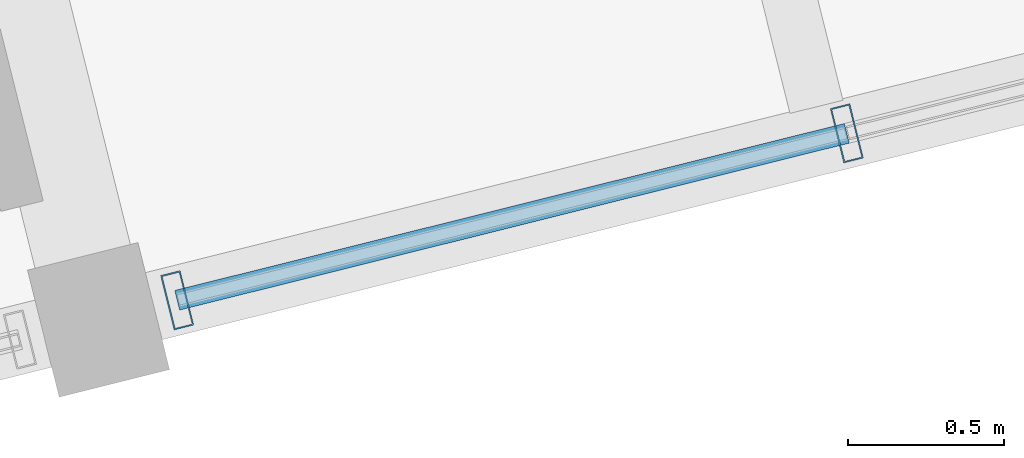
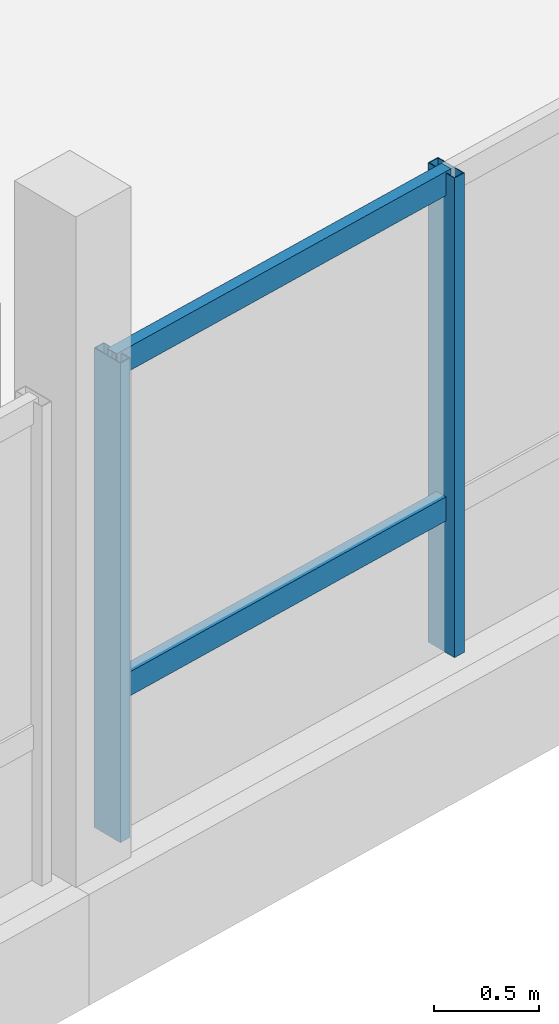
# One storey, part 5 of 27: 4 members, 1 element without a shape of its own.
"""IFC4 building model written with IfcOpenShell, lengths in metres."""

from ifc_helpers import new_model, si_unit, direction, frame, origin, origin_2d, place, context, subcontext, project, spatial, hollow_rectangle, extrude, material, layer, layer_set, material_profile, profile_set, type_object, element, aggregate, save


model = new_model("IFC4")

# Units and contexts
model_context = context("Model", 3, precision=1e-05, world=origin(), true_north=direction((0.0, 1.0)))
body_context = subcontext(model_context, "Body", "Model", "MODEL_VIEW")
ifc_project = project(units=[si_unit("LENGTHUNIT", "METRE"), si_unit("AREAUNIT", "SQUARE_METRE"), si_unit("VOLUMEUNIT", "CUBIC_METRE"), si_unit("PLANEANGLEUNIT", "RADIAN"), si_unit("MASSUNIT", "GRAM", prefix="KILO")], contexts=[model_context])

# Site, building, storey
site_placement = place(None, origin())
site = spatial("IfcSite", under=ifc_project, at=site_placement, CompositionType="ELEMENT")
building_placement = place(site_placement, origin())
building = spatial("IfcBuilding", under=site, at=building_placement, Name="Meriwether Solvik Hall", CompositionType="ELEMENT")
storey_placement = place(building_placement, frame((0.0, 0.0, 33.89990234375)))
storey = spatial("IfcBuildingStorey", under=building, at=storey_placement, Name="L08", CompositionType="ELEMENT", Elevation=33.89990234375)

# Curtain wall, members
ifc_material_1 = material(Name="Thermally Broken Anodised Aluminium 6063-T6 and Low-E Glass", Category="aluminium")
ifc_layer = layer(ifc_material_1, 0.179931640625)
ifc_layer_set = layer_set([ifc_layer], Name="Thermally Broken Anodised Aluminium 6063-T6 and Low-E Glass")
curtain_wall_type = type_object("IfcCurtainWallType", Name="CW-UNIT-B", PredefinedType="USERDEFINED", material=ifc_layer_set)
curtain_wall_placement = place(storey_placement, origin())
curtain_wall = element("IfcCurtainWall", 1, at=curtain_wall_placement, inside=storey, type_object=curtain_wall_type, Name="Curtain Wall E0_B3 (L08)", ObjectType="UNITISED CURTAIN WALL", PredefinedType="USERDEFINED")
ifc_material_2 = material(Name="Anodised Aluminium 6063-T6", Category="aluminium")
ifc_material_profile_1 = material_profile(ifc_material_2, hollow_rectangle(XDim=0.06494140625, YDim=0.179931640625, WallThickness=0.00439453125, at=origin_2d()), Name="CWM-65X180")
ifc_profile_set_1 = profile_set([ifc_material_profile_1], Name="Anodised Aluminium 6063-T6")
member_type_1 = type_object("IfcMemberType", Name="CW-MUL-65X180", PredefinedType="MULLION", material=ifc_profile_set_1)
member_1_placement = place(storey_placement, frame((92.346923828125, 47.120849609375, 0.0), z_axis=(0.0, 0.0, 1.0), x_axis=(-0.970295703518, -0.241921986879, 0.0)))
member_1 = element("IfcMember", 2, at=member_1_placement, type_object=member_type_1, Name="Curtain Wall Mullion 3", PredefinedType="MULLION", context=body_context, shape_type="SweptSolid", body=[
    extrude(hollow_rectangle(XDim=0.06494140625, YDim=0.179931640625, WallThickness=0.00439453125, at=origin_2d()), origin(), (0.0, 0.0, 1.0), 2.7900390625),
])
member_2_placement = place(storey_placement, frame((90.19873046875, 46.585205078125, 0.0), z_axis=(0.0, 0.0, 1.0), x_axis=(-0.970295703518, -0.241921986879, 0.0)))
member_2 = element("IfcMember", 3, at=member_2_placement, type_object=member_type_1, Name="Curtain Wall Mullion 4", PredefinedType="MULLION", context=body_context, shape_type="SweptSolid", body=[
    extrude(hollow_rectangle(XDim=0.06494140625, YDim=0.179931640625, WallThickness=0.00439453125, at=origin_2d()), origin(), (0.0, 0.0, 1.0), 2.7900390625),
])
ifc_material_3 = material(Name="Anodised Aluminium 6063-T6", Category="aluminium")
ifc_material_profile_2 = material_profile(ifc_material_3, hollow_rectangle(XDim=0.06494140625, YDim=0.139892578125, WallThickness=0.00439453125, at=origin_2d()), Name="CWT-65X140")
ifc_profile_set_2 = profile_set([ifc_material_profile_2], Name="Anodised Aluminium 6063-T6")
member_type_2 = type_object("IfcMemberType", Name="CW-TRN-65X140", PredefinedType="USERDEFINED", material=ifc_profile_set_2)
member_3_placement = place(storey_placement, frame((92.346923828125, 47.120849609375, 0.837158203125), z_axis=(-0.970291509385, -0.241938808, 0.0), x_axis=(0.241938808, -0.970291509385, 0.0)))
member_3 = element("IfcMember", 4, at=member_3_placement, type_object=member_type_2, Name="Curtain Wall Transom 3-sill", ObjectType="TRANSOM", PredefinedType="USERDEFINED", context=body_context, shape_type="SweptSolid", body=[
    extrude(hollow_rectangle(XDim=0.06494140625, YDim=0.139892578125, WallThickness=0.00439453125, at=origin_2d()), origin(), (0.0, 0.0, 1.0), 2.2138671875),
])
member_4_placement = place(storey_placement, frame((92.346923828125, 47.120849609375, 2.72998046875), z_axis=(-0.970291509385, -0.241938808, 0.0), x_axis=(0.241938808, -0.970291509385, 0.0)))
member_4 = element("IfcMember", 5, at=member_4_placement, type_object=member_type_2, Name="Curtain Wall Transom 3-head", ObjectType="TRANSOM", PredefinedType="USERDEFINED", context=body_context, shape_type="SweptSolid", body=[
    extrude(hollow_rectangle(XDim=0.06494140625, YDim=0.139892578125, WallThickness=0.00439453125, at=origin_2d()), origin(), (0.0, 0.0, 1.0), 2.2138671875),
])
aggregate(curtain_wall, [member_1, member_2, member_3, member_4])

save(model, "model.ifc")
